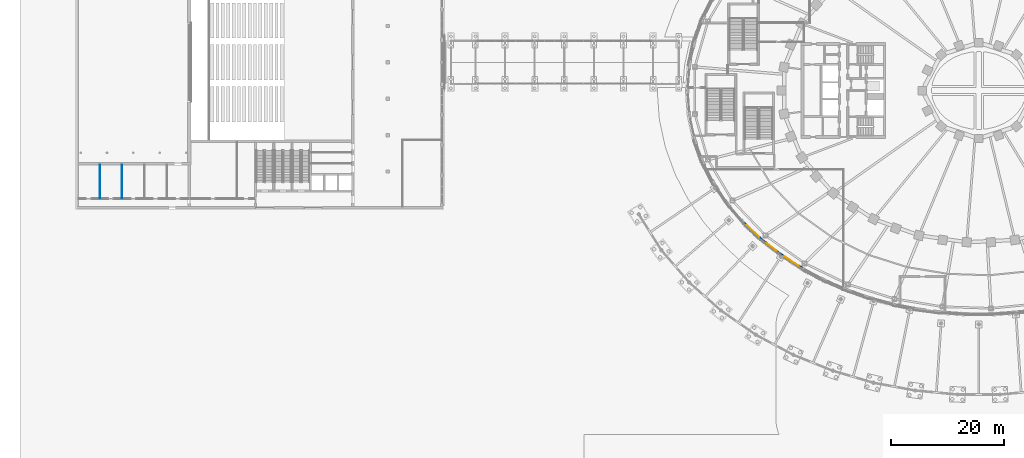
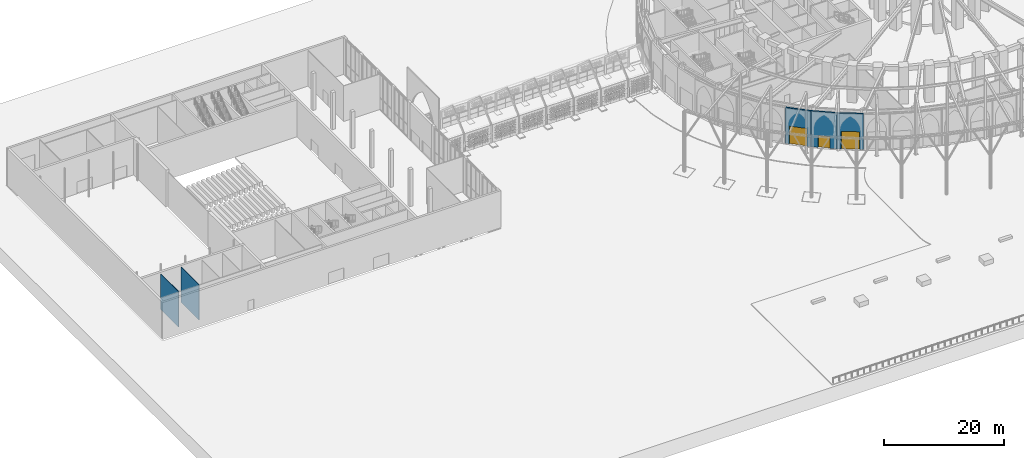
# One storey, part 38 of 79: 5 walls, 2 windows, 1 door, 3 openings.
"""IFC4 building model written with IfcOpenShell, lengths in metres."""

from ifc_helpers import new_model, si_unit, direction, frame, frame_2d, origin, place, context, subcontext, project, spatial, rectangle, extrude, material, layer, layer_set, type_object, element, fill, save


model = new_model("IFC4")

# Units and contexts
model_context = context("Model", 3, precision=1e-05, world=origin(), true_north=direction((0.0, 1.0)))
body_context = subcontext(model_context, "Body", "Model", "MODEL_VIEW")
ifc_project = project(units=[si_unit("LENGTHUNIT", "METRE"), si_unit("AREAUNIT", "SQUARE_METRE"), si_unit("VOLUMEUNIT", "CUBIC_METRE"), si_unit("PLANEANGLEUNIT", "RADIAN"), si_unit("MASSUNIT", "GRAM", prefix="KILO")], contexts=[model_context])

# Site, building, storey
site_placement = place(None, origin())
site = spatial("IfcSite", under=ifc_project, at=site_placement, CompositionType="ELEMENT")
building_placement = place(site_placement, origin())
building = spatial("IfcBuilding", under=site, at=building_placement, Name="Noorbagh Ring Tower", CompositionType="ELEMENT")
storey_placement = place(building_placement, origin())
storey = spatial("IfcBuildingStorey", under=building, at=storey_placement, Name="L00", CompositionType="ELEMENT", Elevation=0.0)

# Wall, opening, window
ifc_material_1 = material(Name="Blockwork faced with red sandstone", Category="masonry")
ifc_layer_1 = layer(ifc_material_1, 0.300048828125)
ifc_layer_set_1 = layer_set([ifc_layer_1], Name="Blockwork faced with red sandstone")
wall_type_1 = type_object("IfcWallType", Name="GND-ENV-WALL", PredefinedType="SOLIDWALL", material=ifc_layer_set_1)
wall_1_placement = place(storey_placement, frame((-41.61669921875, -23.406005859375, 0.0), z_axis=(0.0, 0.0, 1.0), x_axis=(0.72620446032, -0.687478786444, 0.0)))
wall_1 = element("IfcWall", 1, at=wall_1_placement, inside=storey, type_object=wall_type_1, Name="Podium wall", PredefinedType="SOLIDWALL", context=body_context, shape_type="SweptSolid", body=[
    extrude(rectangle(XDim=4.356201171875, YDim=0.300048828125, at=frame_2d((2.17822265625, 0.0))), origin(), (0.0, 0.0, 1.0), 7.25),
])
opening_1_placement = place(wall_1_placement, frame((0.677978515625, 0.0, 0.0)))
opening_1 = element("IfcOpeningElement", 2, at=opening_1_placement, cuts=wall_1, Name="Opening GWN2", PredefinedType="OPENING", context=body_context, shape_type="SweptSolid", body=[
    extrude(rectangle(XDim=3.0, YDim=3.60009765625, at=frame_2d((1.5, 1.800048828125))), frame((0.0, 0.16015625, 0.0), z_axis=(0.0, -1.0, 0.0), x_axis=(1.0, 0.0, 0.0)), (0.0, 0.0, 1.0), 0.320068359375),
])
ifc_material_2 = material(Name="Aluminium and glass", Category="aluminium")
window_type = type_object("IfcWindowType", Name="GND-ENV-SHOPFRONT", PartitioningType="SINGLE_PANEL", PredefinedType="WINDOW", material=ifc_material_2)
window_1_placement = place(opening_1_placement, origin())
window_1 = element("IfcWindow", 3, at=window_1_placement, inside=storey, type_object=window_type, Name="L00 podium window", OverallHeight=3.60009765625, OverallWidth=3.0, PartitioningType="SINGLE_PANEL", PredefinedType="WINDOW", context=body_context, shape_type="SweptSolid", body=[
    extrude(rectangle(XDim=3.0, YDim=3.60009765625, at=frame_2d((1.5, 1.800048828125))), frame((0.0, 0.030029296875, 0.0), z_axis=(0.0, -1.0, 0.0), x_axis=(1.0, 0.0, 0.0)), (0.0, 0.0, 1.0), 0.06005859375),
])
fill(opening_1, window_1)

# Wall, opening, door
wall_2_placement = place(storey_placement, frame((-38.453125, -26.40087890625, 0.0), z_axis=(0.0, 0.0, 1.0), x_axis=(0.788491985196, -0.615045030288, 0.0)))
wall_2 = element("IfcWall", 4, at=wall_2_placement, inside=storey, type_object=wall_type_1, Name="Podium wall", PredefinedType="SOLIDWALL", context=body_context, shape_type="SweptSolid", body=[
    extrude(rectangle(XDim=4.359375, YDim=0.300048828125, at=frame_2d((2.1796875, 0.0))), origin(), (0.0, 0.0, 1.0), 7.25),
])
opening_2_placement = place(wall_2_placement, frame((1.1796875, 0.0, 0.0)))
opening_2 = element("IfcOpeningElement", 5, at=opening_2_placement, cuts=wall_2, Name="Opening GD13", PredefinedType="OPENING", context=body_context, shape_type="SweptSolid", body=[
    extrude(rectangle(XDim=2.0, YDim=2.39990234375, at=frame_2d((1.0, 1.199951171875))), frame((0.0, 0.16015625, 0.0), z_axis=(0.0, -1.0, 0.0), x_axis=(1.0, 0.0, 0.0)), (0.0, 0.0, 1.0), 0.320068359375),
])
ifc_material_3 = material(Name="Aluminium and glass", Category="aluminium")
door_type = type_object("IfcDoorType", Name="GND-DOOR-EXIT", OperationType="DOUBLE_DOOR_SINGLE_SWING", PredefinedType="DOOR", material=ifc_material_3)
door_placement = place(opening_2_placement, frame((2.0, 0.0, 0.0), z_axis=(0.0, 0.0, 1.0), x_axis=(-1.0, 0.0, 0.0)))
door = element("IfcDoor", 6, at=door_placement, inside=storey, type_object=door_type, Name="Exit door FX15", OperationType="DOUBLE_DOOR_SINGLE_SWING", OverallHeight=2.39990234375, OverallWidth=2.0, PredefinedType="DOOR", context=body_context, shape_type="SweptSolid", body=[
    extrude(rectangle(XDim=2.0, YDim=2.39990234375, at=frame_2d((1.0, 1.199951171875))), frame((0.0, 0.025146484375, 0.0), z_axis=(0.0, -1.0, 0.0), x_axis=(1.0, 0.0, 0.0)), (0.0, 0.0, 1.0), 0.050048828125),
])
fill(opening_2, door)

# Wall, opening, window
wall_3_placement = place(storey_placement, frame((-35.015869140625, -29.08203125, 0.0), z_axis=(0.0, 0.0, 1.0), x_axis=(0.840047348843, -0.542513088969, 0.0)))
wall_3 = element("IfcWall", 7, at=wall_3_placement, inside=storey, type_object=wall_type_1, Name="Podium wall", PredefinedType="SOLIDWALL", context=body_context, shape_type="SweptSolid", body=[
    extrude(rectangle(XDim=4.362060546875, YDim=0.300048828125, at=frame_2d((2.18115234375, 0.0))), origin(), (0.0, 0.0, 1.0), 7.25),
])
opening_3_placement = place(wall_3_placement, frame((0.680908203125, 0.0, 0.0)))
opening_3 = element("IfcOpeningElement", 8, at=opening_3_placement, cuts=wall_3, Name="Opening GWN2", PredefinedType="OPENING", context=body_context, shape_type="SweptSolid", body=[
    extrude(rectangle(XDim=3.0, YDim=3.60009765625, at=frame_2d((1.5, 1.800048828125))), frame((0.0, 0.16015625, 0.0), z_axis=(0.0, -1.0, 0.0), x_axis=(1.0, 0.0, 0.0)), (0.0, 0.0, 1.0), 0.320068359375),
])
window_2_placement = place(opening_3_placement, origin())
window_2 = element("IfcWindow", 9, at=window_2_placement, inside=storey, type_object=window_type, Name="L00 podium window", OverallHeight=3.60009765625, OverallWidth=3.0, PartitioningType="SINGLE_PANEL", PredefinedType="WINDOW", context=body_context, shape_type="SweptSolid", body=[
    extrude(rectangle(XDim=3.0, YDim=3.60009765625, at=frame_2d((1.5, 1.800048828125))), frame((0.0, 0.030029296875, 0.0), z_axis=(0.0, -1.0, 0.0), x_axis=(1.0, 0.0, 0.0)), (0.0, 0.0, 1.0), 0.06005859375),
])
fill(opening_3, window_2)

# Walls
ifc_material_4 = material(Name="Gypsum board on steel studs", Category="steel")
ifc_layer_2 = layer(ifc_material_4, 0.10009765625)
ifc_layer_set_2 = layer_set([ifc_layer_2], Name="Gypsum board on steel studs")
wall_type_2 = type_object("IfcWallType", Name="TH-PART-100", PredefinedType="PARTITIONING", material=ifc_layer_set_2)
for number, where, z_axis, x_axis, name in (
    (10, (-155.840087890625, -19.125, 0.0), (0.0, 0.0, 1.0), (0.0, 1.0, 0.0), "L00/th-wall/057"),
    (11, (-151.8798828125, -19.125, 0.0), (0.0, 0.0, 1.0), (0.0, 1.0, 0.0), "L00/th-wall/059"),
):
    element("IfcWall", number, at=place(storey_placement, frame(where, z_axis=z_axis, x_axis=x_axis)), inside=storey, type_object=wall_type_2, Name=name, PredefinedType="PARTITIONING", context=body_context, shape_type="SweptSolid", body=[
        extrude(rectangle(XDim=5.925048828125, YDim=0.10009765625, at=frame_2d((2.96240234375, 0.0))), origin(), (0.0, 0.0, 1.0), 7.199951171875),
    ])

save(model, "model.ifc")
